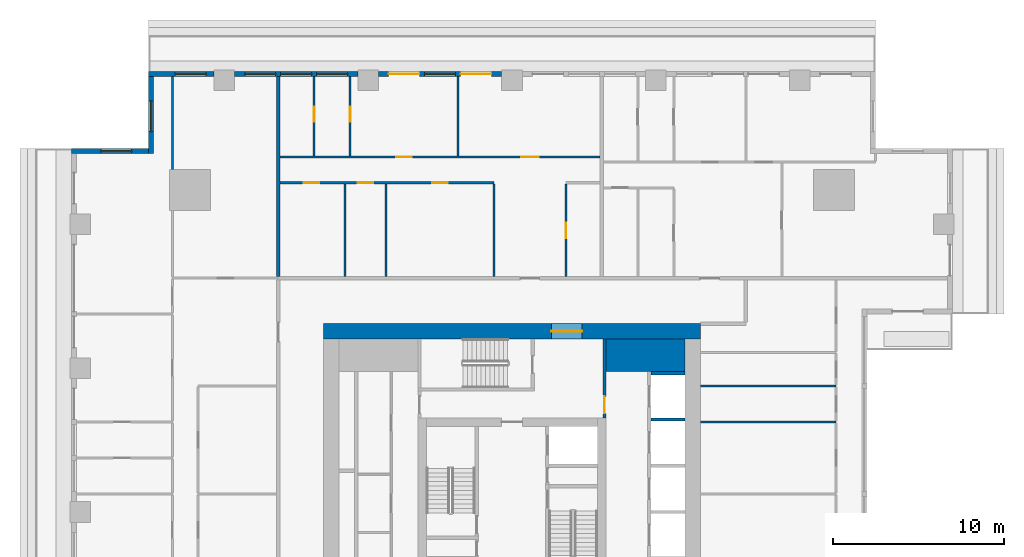
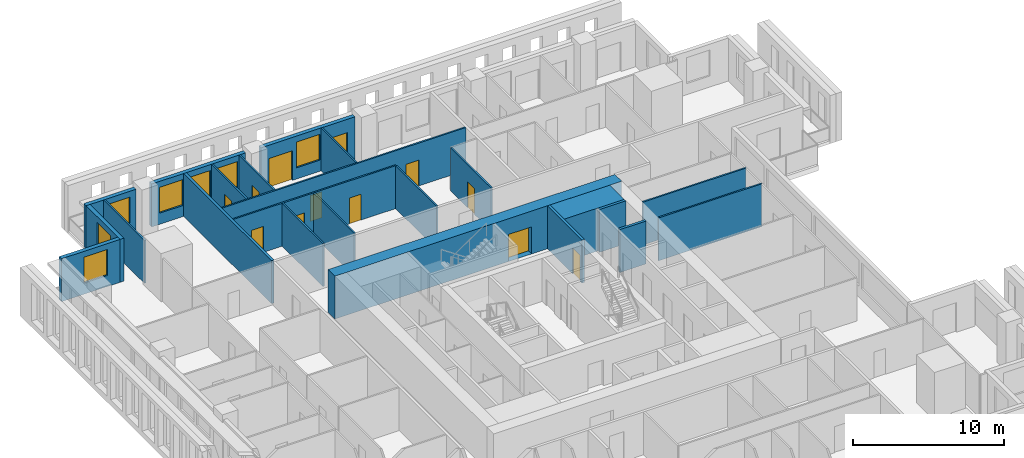
# One storey, part 7 of 15: 23 walls, 12 doors, 7 windows, 19 openings.
"""IFC4 building model written with IfcOpenShell, lengths in metres."""

from ifc_helpers import new_model, si_unit, direction, frame, frame_2d, origin, place, context, subcontext, project, spatial, rectangle, extrude, material, layer, layer_set, type_object, element, fill, save


model = new_model("IFC4")

# Units and contexts
model_context = context("Model", 3, precision=1e-05, world=origin(), true_north=direction((0.0, 1.0)))
body_context = subcontext(model_context, "Body", "Model", "MODEL_VIEW")
ifc_project = project(units=[si_unit("LENGTHUNIT", "METRE"), si_unit("AREAUNIT", "SQUARE_METRE"), si_unit("VOLUMEUNIT", "CUBIC_METRE"), si_unit("PLANEANGLEUNIT", "RADIAN"), si_unit("MASSUNIT", "GRAM", prefix="KILO")], contexts=[model_context])

# Site, building, storey
site_placement = place(None, origin())
site = spatial("IfcSite", under=ifc_project, at=site_placement, CompositionType="ELEMENT")
building_placement = place(site_placement, origin())
building = spatial("IfcBuilding", under=site, at=building_placement, Name="Khepri Terraces", CompositionType="ELEMENT")
storey_placement = place(building_placement, frame((0.0, 0.0, 219.60009765625)))
storey = spatial("IfcBuildingStorey", under=building, at=storey_placement, Name="L52", CompositionType="ELEMENT", Elevation=219.60009765625)

# Walls
ifc_material_1 = material(Name="Concrete C50/60", Category="concrete")
ifc_layer_1 = layer(ifc_material_1, 1.89990234375, Name="Concrete C50/60", Category="concrete")
ifc_layer_set_1 = layer_set([ifc_layer_1], Name="Concrete C50/60")
wall_type_1 = type_object("IfcWallType", Name="Core wall 1900 C50/60", PredefinedType="SHEAR", material=ifc_layer_set_1)
wall_1_placement = place(storey_placement, frame((5.5, 9.14990234375, 0.0), z_axis=(0.0, 0.0, 1.0), x_axis=(1.0, 0.0, 0.0)))
element("IfcWall", 1, at=wall_1_placement, inside=storey, type_object=wall_type_1, Name="Core wall PR04 L52", PredefinedType="SHEAR", context=body_context, shape_type="SweptSolid", body=[
    extrude(rectangle(XDim=4.60009765625, YDim=1.89990234375, at=frame_2d((2.300048828125, 0.0))), origin(), (0.0, 0.0, 1.0), 3.47998046875),
])
ifc_layer_2 = layer(ifc_material_1, 0.199951171875, Name="Concrete C50/60", Category="concrete")
ifc_layer_set_2 = layer_set([ifc_layer_2], Name="Concrete C50/60")
wall_type_2 = type_object("IfcWallType", Name="Core wall 200 C50/60", PredefinedType="SHEAR", material=ifc_layer_set_2)
for number, where, z_axis, x_axis, name in (
    (2, (8.10009765625, 5.39990234375, 0.0), (0.0, 0.0, 1.0), (1.0, 0.0, 0.0), "Core wall SH14 L52"),
    (3, (8.10009765625, 8.10009765625, 0.0), (0.0, 0.0, 1.0), (1.0, 0.0, 0.0), "Core wall SH15 L52"),
):
    element("IfcWall", number, at=place(storey_placement, frame(where, z_axis=z_axis, x_axis=x_axis)), inside=storey, type_object=wall_type_2, Name=name, PredefinedType="SHEAR", context=body_context, shape_type="SweptSolid", body=[
        extrude(rectangle(XDim=2.0, YDim=0.199951171875, at=frame_2d((1.0, 0.0))), origin(), (0.0, 0.0, 1.0), 3.47998046875),
    ])

# Wall, opening, door
ifc_layer_3 = layer(ifc_material_1, 0.89990234375, Name="Concrete C50/60", Category="concrete")
ifc_layer_set_3 = layer_set([ifc_layer_3], Name="Concrete C50/60")
wall_type_3 = type_object("IfcWallType", Name="Core wall 900 C50/60", PredefinedType="SHEAR", material=ifc_layer_set_3)
wall_2_placement = place(storey_placement, frame((-11.0, 10.550048828125, 0.0), z_axis=(0.0, 0.0, 1.0), x_axis=(1.0, 0.0, 0.0)))
wall_2 = element("IfcWall", 4, at=wall_2_placement, inside=storey, type_object=wall_type_3, Name="Core wall OW-N L52", PredefinedType="SHEAR", context=body_context, shape_type="SweptSolid", body=[
    extrude(rectangle(XDim=22.0, YDim=0.89990234375, at=frame_2d((11.0, 0.0))), origin(), (0.0, 0.0, 1.0), 3.47998046875),
])
opening_1_placement = place(wall_2_placement, frame((13.300048828125, 0.0, 0.0)))
opening_1 = element("IfcOpeningElement", 5, at=opening_1_placement, cuts=wall_2, Name="Opening L52-C20", PredefinedType="OPENING", context=body_context, shape_type="SweptSolid", body=[
    extrude(rectangle(XDim=1.800048828125, YDim=2.199951171875, at=frame_2d((0.89990234375, 1.10009765625))), frame((0.0, 0.4599609375, 0.0), z_axis=(0.0, -1.0, 0.0), x_axis=(1.0, 0.0, 0.0)), (0.0, 0.0, 1.0), 0.919921875),
])
ifc_material_2 = material(Name="Painted steel", Category="steel")
door_type_1 = type_object("IfcDoorType", Name="DR-CORE-ENTRANCE-1800", OperationType="NOTDEFINED", PredefinedType="DOOR", material=ifc_material_2)
door_1_placement = place(opening_1_placement, origin())
door_1 = element("IfcDoor", 6, at=door_1_placement, inside=storey, type_object=door_type_1, Name="Core entrance door pair L52-C20", OperationType="DOUBLE_DOOR_SINGLE_SWING", OverallHeight=2.199951171875, OverallWidth=1.800048828125, PredefinedType="DOOR", context=body_context, shape_type="SweptSolid", body=[
    extrude(rectangle(XDim=1.800048828125, YDim=2.199951171875, at=frame_2d((0.89990234375, 1.10009765625))), frame((0.0, 0.02490234375, 0.0), z_axis=(0.0, -1.0, 0.0), x_axis=(1.0, 0.0, 0.0)), (0.0, 0.0, 1.0), 0.050048828125),
])
fill(opening_1, door_1)

ifc_material_3 = material(Name="Fire-rated gypsum board partition")
ifc_layer_4 = layer(ifc_material_3, 0.199951171875, Name="Fire-rated gypsum board partition")
ifc_layer_set_4 = layer_set([ifc_layer_4], Name="Fire-rated gypsum board partition")
wall_type_4 = type_object("IfcWallType", Name="WL-CORE-PART-200", PredefinedType="PARTITIONING", material=ifc_layer_set_4)
wall_3_placement = place(storey_placement, frame((5.39990234375, 5.5, 0.0), z_axis=(0.0, 0.0, 1.0), x_axis=(0.0, 1.0, 0.0)))
wall_3 = element("IfcWall", 7, at=wall_3_placement, inside=storey, type_object=wall_type_4, Name="Core partition PT12 L52", PredefinedType="PARTITIONING", context=body_context, shape_type="SweptSolid", body=[
    extrude(rectangle(XDim=4.60009765625, YDim=0.199951171875, at=frame_2d((2.300048828125, 0.0))), origin(), (0.0, 0.0, 1.0), 3.47998046875),
])
opening_2_placement = place(wall_3_placement, frame((0.25, 0.0, 0.0)))
opening_2 = element("IfcOpeningElement", 8, at=opening_2_placement, cuts=wall_3, Name="Opening L52-C17", PredefinedType="OPENING", context=body_context, shape_type="SweptSolid", body=[
    extrude(rectangle(XDim=1.0, YDim=2.10009765625, at=frame_2d((0.5, 1.050048828125))), frame((0.0, 0.10986328125, 0.0), z_axis=(0.0, -1.0, 0.0), x_axis=(1.0, 0.0, 0.0)), (0.0, 0.0, 1.0), 0.219970703125),
])
door_type_2 = type_object("IfcDoorType", Name="DR-CORE-LOBBY-1000", OperationType="NOTDEFINED", PredefinedType="DOOR", material=ifc_material_2)
door_2_placement = place(opening_2_placement, origin())
door_2 = element("IfcDoor", 9, at=door_2_placement, inside=storey, type_object=door_type_2, Name="Lobby door L52-C17", OperationType="SINGLE_SWING_LEFT", OverallHeight=2.10009765625, OverallWidth=1.0, PredefinedType="DOOR", context=body_context, shape_type="SweptSolid", body=[
    extrude(rectangle(XDim=1.0, YDim=2.10009765625, at=frame_2d((0.5, 1.050048828125))), frame((0.0, 0.02490234375, 0.0), z_axis=(0.0, -1.0, 0.0), x_axis=(1.0, 0.0, 0.0)), (0.0, 0.0, 1.0), 0.050048828125),
])
fill(opening_2, door_2)

# Wall
ifc_material_4 = material(Name="Fire-rated gypsum plasterboard partition, mineral wool")
ifc_layer_5 = layer(ifc_material_4, 0.199951171875, Name="Fire-rated gypsum plasterboard partition, mineral wool")
ifc_layer_set_5 = layer_set([ifc_layer_5], Name="Fire-rated gypsum plasterboard partition, mineral wool")
wall_type_5 = type_object("IfcWallType", Name="WL-CORR-200", PredefinedType="PARTITIONING", material=ifc_layer_set_5)
wall_4_placement = place(storey_placement, frame((-13.64990234375, 13.75, 0.0), z_axis=(0.0, 0.0, 1.0), x_axis=(0.0, 1.0, 0.0)))
element("IfcWall", 10, at=wall_4_placement, inside=storey, type_object=wall_type_5, Name="Partition P-071 L52", PredefinedType="PARTITIONING", context=body_context, shape_type="SweptSolid", body=[
    extrude(rectangle(XDim=11.669921875, YDim=0.199951171875, at=frame_2d((5.8349609375, 0.0))), origin(), (0.0, 0.0, 1.0), 3.47998046875),
])

# Wall, openings, doors, window
ifc_material_5 = material(Name="Precast concrete C50/60 warm stone", Category="masonry")
ifc_layer_6 = layer(ifc_material_5, 0.300048828125, Name="Precast concrete C50/60 warm stone", Category="masonry")
ifc_layer_set_6 = layer_set([ifc_layer_6], Name="Precast concrete C50/60 warm stone")
wall_type_6 = type_object("IfcWallType", Name="WL-EXT-PRECAST-300", PredefinedType="STANDARD", material=ifc_layer_set_6)
wall_5_placement = place(storey_placement, frame((-0.60009765625, 25.570068359375, 0.0), z_axis=(0.0, 0.0, 1.0), x_axis=(-1.0, 0.0, 0.0)))
wall_5 = element("IfcWall", 11, at=wall_5_placement, inside=storey, type_object=wall_type_6, Name="External wall L52 N", PredefinedType="STANDARD", context=body_context, shape_type="SweptSolid", body=[
    extrude(rectangle(XDim=7.199951171875, YDim=0.300048828125, at=frame_2d((3.60009765625, 0.0))), origin(), (0.0, 0.0, 1.0), 3.47998046875),
])
opening_3_placement = place(wall_5_placement, frame((0.60009765625, 0.0, 0.0)))
opening_3 = element("IfcOpeningElement", 12, at=opening_3_placement, cuts=wall_5, Name="Opening ED-L52-10", PredefinedType="OPENING", context=body_context, shape_type="SweptSolid", body=[
    extrude(rectangle(XDim=1.800048828125, YDim=2.39990234375, at=frame_2d((0.89990234375, 1.199951171875))), frame((0.0, 0.16015625, 0.0), z_axis=(0.0, -1.0, 0.0), x_axis=(1.0, 0.0, 0.0)), (0.0, 0.0, 1.0), 0.320068359375),
])
opening_4_placement = place(wall_5_placement, frame((2.699951171875, 0.0, 0.89990234375)))
opening_4 = element("IfcOpeningElement", 13, at=opening_4_placement, cuts=wall_5, Name="Opening W1", PredefinedType="OPENING", context=body_context, shape_type="SweptSolid", body=[
    extrude(rectangle(XDim=1.800048828125, YDim=2.10009765625, at=frame_2d((0.89990234375, 1.050048828125))), frame((0.0, 0.16015625, 0.0), z_axis=(0.0, -1.0, 0.0), x_axis=(1.0, 0.0, 0.0)), (0.0, 0.0, 1.0), 0.320068359375),
])
opening_5_placement = place(wall_5_placement, frame((4.800048828125, 0.0, 0.0)))
opening_5 = element("IfcOpeningElement", 14, at=opening_5_placement, cuts=wall_5, Name="Opening ED-L52-11", PredefinedType="OPENING", context=body_context, shape_type="SweptSolid", body=[
    extrude(rectangle(XDim=1.800048828125, YDim=2.39990234375, at=frame_2d((0.89990234375, 1.199951171875))), frame((0.0, 0.16015625, 0.0), z_axis=(0.0, -1.0, 0.0), x_axis=(1.0, 0.0, 0.0)), (0.0, 0.0, 1.0), 0.320068359375),
])
ifc_material_6 = material(Name="Anodised aluminium bronze glazed door", Category="aluminium")
door_type_3 = type_object("IfcDoorType", Name="DR-BAL-SLIDE-1800x2400", OperationType="NOTDEFINED", PredefinedType="DOOR", material=ifc_material_6)
door_3_placement = place(opening_3_placement, origin())
door_3 = element("IfcDoor", 15, at=door_3_placement, inside=storey, type_object=door_type_3, Name="Balcony door L52 N", OperationType="SLIDING_TO_LEFT", OverallHeight=2.39990234375, OverallWidth=1.800048828125, PredefinedType="DOOR", context=body_context, shape_type="SweptSolid", body=[
    extrude(rectangle(XDim=1.800048828125, YDim=2.39990234375, at=frame_2d((0.89990234375, 1.199951171875))), frame((0.0, 0.02490234375, 0.0), z_axis=(0.0, -1.0, 0.0), x_axis=(1.0, 0.0, 0.0)), (0.0, 0.0, 1.0), 0.050048828125),
])
fill(opening_3, door_3)
door_4_placement = place(opening_5_placement, origin())
door_4 = element("IfcDoor", 16, at=door_4_placement, inside=storey, type_object=door_type_3, Name="Balcony door L52 N", OperationType="SLIDING_TO_RIGHT", OverallHeight=2.39990234375, OverallWidth=1.800048828125, PredefinedType="DOOR", context=body_context, shape_type="SweptSolid", body=[
    extrude(rectangle(XDim=1.800048828125, YDim=2.39990234375, at=frame_2d((0.89990234375, 1.199951171875))), frame((0.0, 0.02490234375, 0.0), z_axis=(0.0, -1.0, 0.0), x_axis=(1.0, 0.0, 0.0)), (0.0, 0.0, 1.0), 0.050048828125),
])
fill(opening_5, door_4)
ifc_material_7 = material(Name="Clear glass", Category="glass")
window_type = type_object("IfcWindowType", Name="WIN-RES-1800x2100", PartitioningType="SINGLE_PANEL", PredefinedType="WINDOW", material=ifc_material_7)
window_1_placement = place(opening_4_placement, origin())
window_1 = element("IfcWindow", 17, at=window_1_placement, inside=storey, type_object=window_type, Name="Window L52 N", OverallHeight=2.10009765625, OverallWidth=1.800048828125, PartitioningType="SINGLE_PANEL", PredefinedType="WINDOW", context=body_context, shape_type="SweptSolid", body=[
    extrude(rectangle(XDim=1.800048828125, YDim=2.10009765625, at=frame_2d((0.89990234375, 1.050048828125))), frame((0.0, 0.030029296875, 0.0), z_axis=(0.0, -1.0, 0.0), x_axis=(1.0, 0.0, 0.0)), (0.0, 0.0, 1.0), 0.06005859375),
])
fill(opening_4, window_1)

# Wall, openings, windows
wall_6_placement = place(storey_placement, frame((-9.0, 25.570068359375, 0.0), z_axis=(0.0, 0.0, 1.0), x_axis=(-1.0, 0.0, 0.0)))
wall_6 = element("IfcWall", 18, at=wall_6_placement, inside=storey, type_object=wall_type_6, Name="External wall L52 N", PredefinedType="STANDARD", context=body_context, shape_type="SweptSolid", body=[
    extrude(rectangle(XDim=7.199951171875, YDim=0.300048828125, at=frame_2d((3.60009765625, 0.0))), origin(), (0.0, 0.0, 1.0), 3.47998046875),
])
opening_6_placement = place(wall_6_placement, frame((0.60009765625, 0.0, 0.89990234375)))
opening_6 = element("IfcOpeningElement", 19, at=opening_6_placement, cuts=wall_6, Name="Opening W1", PredefinedType="OPENING", context=body_context, shape_type="SweptSolid", body=[
    extrude(rectangle(XDim=1.800048828125, YDim=2.10009765625, at=frame_2d((0.89990234375, 1.050048828125))), frame((0.0, 0.16015625, 0.0), z_axis=(0.0, -1.0, 0.0), x_axis=(1.0, 0.0, 0.0)), (0.0, 0.0, 1.0), 0.320068359375),
])
opening_7_placement = place(wall_6_placement, frame((2.699951171875, 0.0, 0.89990234375)))
opening_7 = element("IfcOpeningElement", 20, at=opening_7_placement, cuts=wall_6, Name="Opening W1", PredefinedType="OPENING", context=body_context, shape_type="SweptSolid", body=[
    extrude(rectangle(XDim=1.800048828125, YDim=2.10009765625, at=frame_2d((0.89990234375, 1.050048828125))), frame((0.0, 0.16015625, 0.0), z_axis=(0.0, -1.0, 0.0), x_axis=(1.0, 0.0, 0.0)), (0.0, 0.0, 1.0), 0.320068359375),
])
opening_8_placement = place(wall_6_placement, frame((4.800048828125, 0.0, 0.89990234375)))
opening_8 = element("IfcOpeningElement", 21, at=opening_8_placement, cuts=wall_6, Name="Opening W1", PredefinedType="OPENING", context=body_context, shape_type="SweptSolid", body=[
    extrude(rectangle(XDim=1.800048828125, YDim=2.10009765625, at=frame_2d((0.89990234375, 1.050048828125))), frame((0.0, 0.16015625, 0.0), z_axis=(0.0, -1.0, 0.0), x_axis=(1.0, 0.0, 0.0)), (0.0, 0.0, 1.0), 0.320068359375),
])
window_2_placement = place(opening_6_placement, origin())
window_2 = element("IfcWindow", 22, at=window_2_placement, inside=storey, type_object=window_type, Name="Window L52 N", OverallHeight=2.10009765625, OverallWidth=1.800048828125, PartitioningType="SINGLE_PANEL", PredefinedType="WINDOW", context=body_context, shape_type="SweptSolid", body=[
    extrude(rectangle(XDim=1.800048828125, YDim=2.10009765625, at=frame_2d((0.89990234375, 1.050048828125))), frame((0.0, 0.030029296875, 0.0), z_axis=(0.0, -1.0, 0.0), x_axis=(1.0, 0.0, 0.0)), (0.0, 0.0, 1.0), 0.06005859375),
])
fill(opening_6, window_2)
window_3_placement = place(opening_7_placement, origin())
window_3 = element("IfcWindow", 23, at=window_3_placement, inside=storey, type_object=window_type, Name="Window L52 N", OverallHeight=2.10009765625, OverallWidth=1.800048828125, PartitioningType="SINGLE_PANEL", PredefinedType="WINDOW", context=body_context, shape_type="SweptSolid", body=[
    extrude(rectangle(XDim=1.800048828125, YDim=2.10009765625, at=frame_2d((0.89990234375, 1.050048828125))), frame((0.0, 0.030029296875, 0.0), z_axis=(0.0, -1.0, 0.0), x_axis=(1.0, 0.0, 0.0)), (0.0, 0.0, 1.0), 0.06005859375),
])
fill(opening_7, window_3)
window_4_placement = place(opening_8_placement, origin())
window_4 = element("IfcWindow", 24, at=window_4_placement, inside=storey, type_object=window_type, Name="Window L52 N", OverallHeight=2.10009765625, OverallWidth=1.800048828125, PartitioningType="SINGLE_PANEL", PredefinedType="WINDOW", context=body_context, shape_type="SweptSolid", body=[
    extrude(rectangle(XDim=1.800048828125, YDim=2.10009765625, at=frame_2d((0.89990234375, 1.050048828125))), frame((0.0, 0.030029296875, 0.0), z_axis=(0.0, -1.0, 0.0), x_axis=(1.0, 0.0, 0.0)), (0.0, 0.0, 1.0), 0.06005859375),
])
fill(opening_8, window_4)

# Wall, opening, window
wall_7_placement = place(storey_placement, frame((-17.39990234375, 25.570068359375, 0.0), z_axis=(0.0, 0.0, 1.0), x_axis=(-1.0, 0.0, 0.0)))
wall_7 = element("IfcWall", 25, at=wall_7_placement, inside=storey, type_object=wall_type_6, Name="External wall L52 N", PredefinedType="STANDARD", context=body_context, shape_type="SweptSolid", body=[
    extrude(rectangle(XDim=3.820068359375, YDim=0.300048828125, at=frame_2d((1.91015625, 0.0))), origin(), (0.0, 0.0, 1.0), 3.47998046875),
])
opening_9_placement = place(wall_7_placement, frame((0.4599609375, 0.0, 0.89990234375)))
opening_9 = element("IfcOpeningElement", 26, at=opening_9_placement, cuts=wall_7, Name="Opening W1", PredefinedType="OPENING", context=body_context, shape_type="SweptSolid", body=[
    extrude(rectangle(XDim=1.800048828125, YDim=2.10009765625, at=frame_2d((0.89990234375, 1.050048828125))), frame((0.0, 0.16015625, 0.0), z_axis=(0.0, -1.0, 0.0), x_axis=(1.0, 0.0, 0.0)), (0.0, 0.0, 1.0), 0.320068359375),
])
window_5_placement = place(opening_9_placement, origin())
window_5 = element("IfcWindow", 27, at=window_5_placement, inside=storey, type_object=window_type, Name="Window L52 N", OverallHeight=2.10009765625, OverallWidth=1.800048828125, PartitioningType="SINGLE_PANEL", PredefinedType="WINDOW", context=body_context, shape_type="SweptSolid", body=[
    extrude(rectangle(XDim=1.800048828125, YDim=2.10009765625, at=frame_2d((0.89990234375, 1.050048828125))), frame((0.0, 0.030029296875, 0.0), z_axis=(0.0, -1.0, 0.0), x_axis=(1.0, 0.0, 0.0)), (0.0, 0.0, 1.0), 0.06005859375),
])
fill(opening_9, window_5)

wall_8_placement = place(storey_placement, frame((-21.070068359375, 25.419921875, 0.0), z_axis=(0.0, 0.0, 1.0), x_axis=(0.0, -1.0, 0.0)))
wall_8 = element("IfcWall", 28, at=wall_8_placement, inside=storey, type_object=wall_type_6, Name="External wall L52 W", PredefinedType="STANDARD", context=body_context, shape_type="SweptSolid", body=[
    extrude(rectangle(XDim=4.5, YDim=0.300048828125, at=frame_2d((2.25, 0.0))), origin(), (0.0, 0.0, 1.0), 3.47998046875),
])
opening_10_placement = place(wall_8_placement, frame((1.419921875, 0.0, 0.89990234375)))
opening_10 = element("IfcOpeningElement", 29, at=opening_10_placement, cuts=wall_8, Name="Opening W1", PredefinedType="OPENING", context=body_context, shape_type="SweptSolid", body=[
    extrude(rectangle(XDim=1.800048828125, YDim=2.10009765625, at=frame_2d((0.89990234375, 1.050048828125))), frame((0.0, 0.16015625, 0.0), z_axis=(0.0, -1.0, 0.0), x_axis=(1.0, 0.0, 0.0)), (0.0, 0.0, 1.0), 0.320068359375),
])
window_6_placement = place(opening_10_placement, origin())
window_6 = element("IfcWindow", 30, at=window_6_placement, inside=storey, type_object=window_type, Name="Window L52 W", OverallHeight=2.10009765625, OverallWidth=1.800048828125, PartitioningType="SINGLE_PANEL", PredefinedType="WINDOW", context=body_context, shape_type="SweptSolid", body=[
    extrude(rectangle(XDim=1.800048828125, YDim=2.10009765625, at=frame_2d((0.89990234375, 1.050048828125))), frame((0.0, 0.030029296875, 0.0), z_axis=(0.0, -1.0, 0.0), x_axis=(1.0, 0.0, 0.0)), (0.0, 0.0, 1.0), 0.06005859375),
])
fill(opening_10, window_6)

wall_9_placement = place(storey_placement, frame((-21.219970703125, 21.070068359375, 0.0), z_axis=(0.0, 0.0, 1.0), x_axis=(-1.0, 0.0, 0.0)))
wall_9 = element("IfcWall", 31, at=wall_9_placement, inside=storey, type_object=wall_type_6, Name="External wall L52 N", PredefinedType="STANDARD", context=body_context, shape_type="SweptSolid", body=[
    extrude(rectangle(XDim=4.5, YDim=0.300048828125, at=frame_2d((2.25, 0.0))), origin(), (0.0, 0.0, 1.0), 3.47998046875),
])
opening_11_placement = place(wall_9_placement, frame((0.97998046875, 0.0, 0.89990234375)))
opening_11 = element("IfcOpeningElement", 32, at=opening_11_placement, cuts=wall_9, Name="Opening W1", PredefinedType="OPENING", context=body_context, shape_type="SweptSolid", body=[
    extrude(rectangle(XDim=1.800048828125, YDim=2.10009765625, at=frame_2d((0.89990234375, 1.050048828125))), frame((0.0, 0.16015625, 0.0), z_axis=(0.0, -1.0, 0.0), x_axis=(1.0, 0.0, 0.0)), (0.0, 0.0, 1.0), 0.320068359375),
])
window_7_placement = place(opening_11_placement, origin())
window_7 = element("IfcWindow", 33, at=window_7_placement, inside=storey, type_object=window_type, Name="Window L52 N", OverallHeight=2.10009765625, OverallWidth=1.800048828125, PartitioningType="SINGLE_PANEL", PredefinedType="WINDOW", context=body_context, shape_type="SweptSolid", body=[
    extrude(rectangle(XDim=1.800048828125, YDim=2.10009765625, at=frame_2d((0.89990234375, 1.050048828125))), frame((0.0, 0.030029296875, 0.0), z_axis=(0.0, -1.0, 0.0), x_axis=(1.0, 0.0, 0.0)), (0.0, 0.0, 1.0), 0.06005859375),
])
fill(opening_11, window_7)

# Walls
ifc_material_8 = material(Name="Gypsum plasterboard partition")
ifc_layer_7 = layer(ifc_material_8, 0.1201171875, Name="Gypsum plasterboard partition")
ifc_layer_set_7 = layer_set([ifc_layer_7], Name="Gypsum plasterboard partition")
wall_type_7 = type_object("IfcWallType", Name="WL-PART-120", PredefinedType="PARTITIONING", material=ifc_layer_set_7)
for number, where, z_axis, x_axis, name in (
    (34, (11.0, 5.25, 0.0), (0.0, 0.0, 1.0), (1.0, 0.0, 0.0), "Partition P-056 L52"),
    (35, (11.0, 7.35009765625, 0.0), (0.0, 0.0, 1.0), (1.0, 0.0, 0.0), "Partition P-060 L52"),
):
    element("IfcWall", number, at=place(storey_placement, frame(where, z_axis=z_axis, x_axis=x_axis)), inside=storey, type_object=wall_type_7, Name=name, PredefinedType="PARTITIONING", context=body_context, shape_type="SweptSolid", body=[
        extrude(rectangle(XDim=7.919921875, YDim=0.1201171875, at=frame_2d((3.9599609375, 0.0))), origin(), (0.0, 0.0, 1.0), 3.47998046875),
    ])
for number, where, z_axis, x_axis, name in (
    (36, (-9.75, 13.75, 0.0), (0.0, 0.0, 1.0), (0.0, 1.0, 0.0), "Partition P-072 L52"),
    (37, (-7.35009765625, 13.75, 0.0), (0.0, 0.0, 1.0), (0.0, 1.0, 0.0), "Partition P-073 L52"),
    (38, (-1.050048828125, 13.75, 0.0), (0.0, 0.0, 1.0), (0.0, 1.0, 0.0), "Partition P-074 L52"),
):
    element("IfcWall", number, at=place(storey_placement, frame(where, z_axis=z_axis, x_axis=x_axis)), inside=storey, type_object=wall_type_7, Name=name, PredefinedType="PARTITIONING", context=body_context, shape_type="SweptSolid", body=[
        extrude(rectangle(XDim=5.409912109375, YDim=0.1201171875, at=frame_2d((2.705078125, 0.0))), origin(), (0.0, 0.0, 1.0), 3.47998046875),
    ])

# Wall, opening, door
wall_10_placement = place(storey_placement, frame((3.14990234375, 13.75, 0.0), z_axis=(0.0, 0.0, 1.0), x_axis=(0.0, 1.0, 0.0)))
wall_10 = element("IfcWall", 39, at=wall_10_placement, inside=storey, type_object=wall_type_7, Name="Partition P-075 L52", PredefinedType="PARTITIONING", context=body_context, shape_type="SweptSolid", body=[
    extrude(rectangle(XDim=5.409912109375, YDim=0.1201171875, at=frame_2d((2.705078125, 0.0))), origin(), (0.0, 0.0, 1.0), 3.47998046875),
])
opening_12_placement = place(wall_10_placement, frame((2.235107421875, 0.0, 0.0)))
opening_12 = element("IfcOpeningElement", 40, at=opening_12_placement, cuts=wall_10, Name="Opening D4", PredefinedType="OPENING", context=body_context, shape_type="SweptSolid", body=[
    extrude(rectangle(XDim=0.89990234375, YDim=2.10009765625, at=frame_2d((0.449951171875, 1.050048828125))), frame((0.0, 0.070068359375, 0.0), z_axis=(0.0, -1.0, 0.0), x_axis=(1.0, 0.0, 0.0)), (0.0, 0.0, 1.0), 0.14013671875),
])
ifc_material_9 = material(Name="Timber door leaf, moisture resistant", Category="wood")
door_type_4 = type_object("IfcDoorType", Name="DR-WET-900", OperationType="NOTDEFINED", PredefinedType="DOOR", material=ifc_material_9)
door_5_placement = place(opening_12_placement, frame((0.89990234375, 0.0, 0.0), z_axis=(0.0, 0.0, 1.0), x_axis=(-1.0, 0.0, 0.0)))
door_5 = element("IfcDoor", 41, at=door_5_placement, inside=storey, type_object=door_type_4, Name="Door Guest Bathroom", OperationType="SINGLE_SWING_RIGHT", OverallHeight=2.10009765625, OverallWidth=0.89990234375, PredefinedType="DOOR", context=body_context, shape_type="SweptSolid", body=[
    extrude(rectangle(XDim=0.89990234375, YDim=2.10009765625, at=frame_2d((0.449951171875, 1.050048828125))), frame((0.0, 0.02490234375, 0.0), z_axis=(0.0, -1.0, 0.0), x_axis=(1.0, 0.0, 0.0)), (0.0, 0.0, 1.0), 0.050048828125),
])
fill(opening_12, door_5)

# Wall, openings, doors
wall_11_placement = place(storey_placement, frame((-13.550048828125, 19.219970703125, 0.0), z_axis=(0.0, 0.0, 1.0), x_axis=(1.0, 0.0, 0.0)))
wall_11 = element("IfcWall", 42, at=wall_11_placement, inside=storey, type_object=wall_type_7, Name="Partition P-081 L52", PredefinedType="PARTITIONING", context=body_context, shape_type="SweptSolid", body=[
    extrude(rectangle(XDim=12.5, YDim=0.1201171875, at=frame_2d((6.25, 0.0))), origin(), (0.0, 0.0, 1.0), 3.47998046875),
])
opening_13_placement = place(wall_11_placement, frame((8.89990234375, 0.0, 0.0)))
opening_13 = element("IfcOpeningElement", 43, at=opening_13_placement, cuts=wall_11, Name="Opening D3", PredefinedType="OPENING", context=body_context, shape_type="SweptSolid", body=[
    extrude(rectangle(XDim=0.89990234375, YDim=2.10009765625, at=frame_2d((0.449951171875, 1.050048828125))), frame((0.0, 0.070068359375, 0.0), z_axis=(0.0, -1.0, 0.0), x_axis=(1.0, 0.0, 0.0)), (0.0, 0.0, 1.0), 0.14013671875),
])
opening_14_placement = place(wall_11_placement, frame((4.550048828125, 0.0, 0.0)))
opening_14 = element("IfcOpeningElement", 44, at=opening_14_placement, cuts=wall_11, Name="Opening D4", PredefinedType="OPENING", context=body_context, shape_type="SweptSolid", body=[
    extrude(rectangle(XDim=0.89990234375, YDim=2.10009765625, at=frame_2d((0.449951171875, 1.050048828125))), frame((0.0, 0.070068359375, 0.0), z_axis=(0.0, -1.0, 0.0), x_axis=(1.0, 0.0, 0.0)), (0.0, 0.0, 1.0), 0.14013671875),
])
opening_15_placement = place(wall_11_placement, frame((1.39990234375, 0.0, 0.0)))
opening_15 = element("IfcOpeningElement", 45, at=opening_15_placement, cuts=wall_11, Name="Opening D3", PredefinedType="OPENING", context=body_context, shape_type="SweptSolid", body=[
    extrude(rectangle(XDim=0.89990234375, YDim=2.10009765625, at=frame_2d((0.449951171875, 1.050048828125))), frame((0.0, 0.070068359375, 0.0), z_axis=(0.0, -1.0, 0.0), x_axis=(1.0, 0.0, 0.0)), (0.0, 0.0, 1.0), 0.14013671875),
])
ifc_material_10 = material(Name="Timber door leaf", Category="wood")
door_type_5 = type_object("IfcDoorType", Name="DR-INT-900", OperationType="NOTDEFINED", PredefinedType="DOOR", material=ifc_material_10)
door_6_placement = place(opening_13_placement, frame((0.89990234375, 0.0, 0.0), z_axis=(0.0, 0.0, 1.0), x_axis=(-1.0, 0.0, 0.0)))
door_6 = element("IfcDoor", 46, at=door_6_placement, inside=storey, type_object=door_type_5, Name="Door Kitchen", OperationType="SINGLE_SWING_LEFT", OverallHeight=2.10009765625, OverallWidth=0.89990234375, PredefinedType="DOOR", context=body_context, shape_type="SweptSolid", body=[
    extrude(rectangle(XDim=0.89990234375, YDim=2.10009765625, at=frame_2d((0.449951171875, 1.050048828125))), frame((0.0, 0.02490234375, 0.0), z_axis=(0.0, -1.0, 0.0), x_axis=(1.0, 0.0, 0.0)), (0.0, 0.0, 1.0), 0.050048828125),
])
fill(opening_13, door_6)
door_7_placement = place(opening_15_placement, frame((0.89990234375, 0.0, 0.0), z_axis=(0.0, 0.0, 1.0), x_axis=(-1.0, 0.0, 0.0)))
door_7 = element("IfcDoor", 47, at=door_7_placement, inside=storey, type_object=door_type_5, Name="Door Utility Room", OperationType="SINGLE_SWING_RIGHT", OverallHeight=2.10009765625, OverallWidth=0.89990234375, PredefinedType="DOOR", context=body_context, shape_type="SweptSolid", body=[
    extrude(rectangle(XDim=0.89990234375, YDim=2.10009765625, at=frame_2d((0.449951171875, 1.050048828125))), frame((0.0, 0.02490234375, 0.0), z_axis=(0.0, -1.0, 0.0), x_axis=(1.0, 0.0, 0.0)), (0.0, 0.0, 1.0), 0.050048828125),
])
fill(opening_15, door_7)
door_8_placement = place(opening_14_placement, frame((0.89990234375, 0.0, 0.0), z_axis=(0.0, 0.0, 1.0), x_axis=(-1.0, 0.0, 0.0)))
door_8 = element("IfcDoor", 48, at=door_8_placement, inside=storey, type_object=door_type_4, Name="Door Powder Room", OperationType="SINGLE_SWING_RIGHT", OverallHeight=2.10009765625, OverallWidth=0.89990234375, PredefinedType="DOOR", context=body_context, shape_type="SweptSolid", body=[
    extrude(rectangle(XDim=0.89990234375, YDim=2.10009765625, at=frame_2d((0.449951171875, 1.050048828125))), frame((0.0, 0.02490234375, 0.0), z_axis=(0.0, -1.0, 0.0), x_axis=(1.0, 0.0, 0.0)), (0.0, 0.0, 1.0), 0.050048828125),
])
fill(opening_14, door_8)

# Wall
wall_12_placement = place(storey_placement, frame((-19.820068359375, 20.0, 0.0), z_axis=(0.0, 0.0, 1.0), x_axis=(0.0, 1.0, 0.0)))
element("IfcWall", 49, at=wall_12_placement, inside=storey, type_object=wall_type_7, Name="Partition P-083 L52", PredefinedType="PARTITIONING", context=body_context, shape_type="SweptSolid", body=[
    extrude(rectangle(XDim=5.419921875, YDim=0.1201171875, at=frame_2d((2.7099609375, 0.0))), origin(), (0.0, 0.0, 1.0), 3.47998046875),
])

# Wall, openings, doors
wall_13_placement = place(storey_placement, frame((-13.550048828125, 20.719970703125, 0.0), z_axis=(0.0, 0.0, 1.0), x_axis=(1.0, 0.0, 0.0)))
wall_13 = element("IfcWall", 50, at=wall_13_placement, inside=storey, type_object=wall_type_7, Name="Partition P-089 L52", PredefinedType="PARTITIONING", context=body_context, shape_type="SweptSolid", body=[
    extrude(rectangle(XDim=18.699951171875, YDim=0.1201171875, at=frame_2d((9.35009765625, 0.0))), origin(), (0.0, 0.0, 1.0), 3.47998046875),
])
opening_16_placement = place(wall_13_placement, frame((14.10009765625, 0.0, 0.0)))
opening_16 = element("IfcOpeningElement", 51, at=opening_16_placement, cuts=wall_13, Name="Opening D2", PredefinedType="OPENING", context=body_context, shape_type="SweptSolid", body=[
    extrude(rectangle(XDim=1.0, YDim=2.10009765625, at=frame_2d((0.5, 1.050048828125))), frame((0.0, 0.070068359375, 0.0), z_axis=(0.0, -1.0, 0.0), x_axis=(1.0, 0.0, 0.0)), (0.0, 0.0, 1.0), 0.14013671875),
])
opening_17_placement = place(wall_13_placement, frame((6.800048828125, 0.0, 0.0)))
opening_17 = element("IfcOpeningElement", 52, at=opening_17_placement, cuts=wall_13, Name="Opening D3", PredefinedType="OPENING", context=body_context, shape_type="SweptSolid", body=[
    extrude(rectangle(XDim=0.89990234375, YDim=2.10009765625, at=frame_2d((0.449951171875, 1.050048828125))), frame((0.0, 0.070068359375, 0.0), z_axis=(0.0, -1.0, 0.0), x_axis=(1.0, 0.0, 0.0)), (0.0, 0.0, 1.0), 0.14013671875),
])
ifc_material_11 = material(Name="Timber door leaf, living room door", Category="wood")
door_type_6 = type_object("IfcDoorType", Name="DR-INT-1000", OperationType="NOTDEFINED", PredefinedType="DOOR", material=ifc_material_11)
door_9_placement = place(opening_16_placement, origin())
door_9 = element("IfcDoor", 53, at=door_9_placement, inside=storey, type_object=door_type_6, Name="Door Living Room", OperationType="SINGLE_SWING_RIGHT", OverallHeight=2.10009765625, OverallWidth=1.0, PredefinedType="DOOR", context=body_context, shape_type="SweptSolid", body=[
    extrude(rectangle(XDim=1.0, YDim=2.10009765625, at=frame_2d((0.5, 1.050048828125))), frame((0.0, 0.02490234375, 0.0), z_axis=(0.0, -1.0, 0.0), x_axis=(1.0, 0.0, 0.0)), (0.0, 0.0, 1.0), 0.050048828125),
])
fill(opening_16, door_9)
door_10_placement = place(opening_17_placement, origin())
door_10 = element("IfcDoor", 54, at=door_10_placement, inside=storey, type_object=door_type_5, Name="Door Master Bedroom", OperationType="SINGLE_SWING_LEFT", OverallHeight=2.10009765625, OverallWidth=0.89990234375, PredefinedType="DOOR", context=body_context, shape_type="SweptSolid", body=[
    extrude(rectangle(XDim=0.89990234375, YDim=2.10009765625, at=frame_2d((0.449951171875, 1.050048828125))), frame((0.0, 0.02490234375, 0.0), z_axis=(0.0, -1.0, 0.0), x_axis=(1.0, 0.0, 0.0)), (0.0, 0.0, 1.0), 0.050048828125),
])
fill(opening_17, door_10)

# Wall, opening, door
wall_14_placement = place(storey_placement, frame((-11.550048828125, 20.780029296875, 0.0), z_axis=(0.0, 0.0, 1.0), x_axis=(0.0, 1.0, 0.0)))
wall_14 = element("IfcWall", 55, at=wall_14_placement, inside=storey, type_object=wall_type_7, Name="Partition P-090 L52", PredefinedType="PARTITIONING", context=body_context, shape_type="SweptSolid", body=[
    extrude(rectangle(XDim=4.639892578125, YDim=0.1201171875, at=frame_2d((2.31982421875, 0.0))), origin(), (0.0, 0.0, 1.0), 3.47998046875),
])
opening_18_placement = place(wall_14_placement, frame((1.989990234375, 0.0, 0.0)))
opening_18 = element("IfcOpeningElement", 56, at=opening_18_placement, cuts=wall_14, Name="Opening D4", PredefinedType="OPENING", context=body_context, shape_type="SweptSolid", body=[
    extrude(rectangle(XDim=0.89990234375, YDim=2.10009765625, at=frame_2d((0.449951171875, 1.050048828125))), frame((0.0, 0.070068359375, 0.0), z_axis=(0.0, -1.0, 0.0), x_axis=(1.0, 0.0, 0.0)), (0.0, 0.0, 1.0), 0.14013671875),
])
door_11_placement = place(opening_18_placement, origin())
door_11 = element("IfcDoor", 57, at=door_11_placement, inside=storey, type_object=door_type_4, Name="Door Bathroom", OperationType="SINGLE_SWING_RIGHT", OverallHeight=2.10009765625, OverallWidth=0.89990234375, PredefinedType="DOOR", context=body_context, shape_type="SweptSolid", body=[
    extrude(rectangle(XDim=0.89990234375, YDim=2.10009765625, at=frame_2d((0.449951171875, 1.050048828125))), frame((0.0, 0.02490234375, 0.0), z_axis=(0.0, -1.0, 0.0), x_axis=(1.0, 0.0, 0.0)), (0.0, 0.0, 1.0), 0.050048828125),
])
fill(opening_18, door_11)

wall_15_placement = place(storey_placement, frame((-9.449951171875, 20.780029296875, 0.0), z_axis=(0.0, 0.0, 1.0), x_axis=(0.0, 1.0, 0.0)))
wall_15 = element("IfcWall", 58, at=wall_15_placement, inside=storey, type_object=wall_type_7, Name="Partition P-091 L52", PredefinedType="PARTITIONING", context=body_context, shape_type="SweptSolid", body=[
    extrude(rectangle(XDim=4.639892578125, YDim=0.1201171875, at=frame_2d((2.31982421875, 0.0))), origin(), (0.0, 0.0, 1.0), 3.47998046875),
])
opening_19_placement = place(wall_15_placement, frame((1.989990234375, 0.0, 0.0)))
opening_19 = element("IfcOpeningElement", 59, at=opening_19_placement, cuts=wall_15, Name="Opening D3", PredefinedType="OPENING", context=body_context, shape_type="SweptSolid", body=[
    extrude(rectangle(XDim=0.89990234375, YDim=2.10009765625, at=frame_2d((0.449951171875, 1.050048828125))), frame((0.0, 0.070068359375, 0.0), z_axis=(0.0, -1.0, 0.0), x_axis=(1.0, 0.0, 0.0)), (0.0, 0.0, 1.0), 0.14013671875),
])
door_12_placement = place(opening_19_placement, origin())
door_12 = element("IfcDoor", 60, at=door_12_placement, inside=storey, type_object=door_type_5, Name="Door Dressing Room", OperationType="SINGLE_SWING_RIGHT", OverallHeight=2.10009765625, OverallWidth=0.89990234375, PredefinedType="DOOR", context=body_context, shape_type="SweptSolid", body=[
    extrude(rectangle(XDim=0.89990234375, YDim=2.10009765625, at=frame_2d((0.449951171875, 1.050048828125))), frame((0.0, 0.02490234375, 0.0), z_axis=(0.0, -1.0, 0.0), x_axis=(1.0, 0.0, 0.0)), (0.0, 0.0, 1.0), 0.050048828125),
])
fill(opening_19, door_12)

# Wall
wall_16_placement = place(storey_placement, frame((-3.14990234375, 20.780029296875, 0.0), z_axis=(0.0, 0.0, 1.0), x_axis=(0.0, 1.0, 0.0)))
element("IfcWall", 61, at=wall_16_placement, inside=storey, type_object=wall_type_7, Name="Partition P-092 L52", PredefinedType="PARTITIONING", context=body_context, shape_type="SweptSolid", body=[
    extrude(rectangle(XDim=4.639892578125, YDim=0.1201171875, at=frame_2d((2.31982421875, 0.0))), origin(), (0.0, 0.0, 1.0), 3.47998046875),
])

save(model, "model.ifc")
